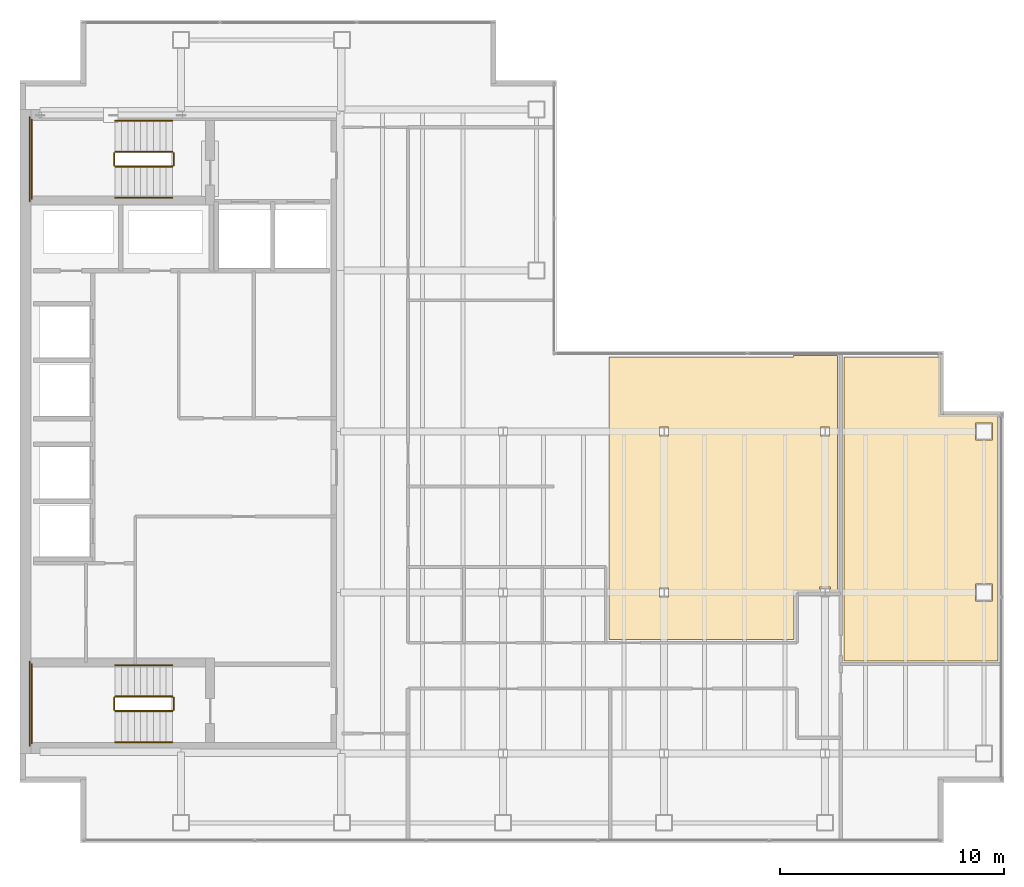
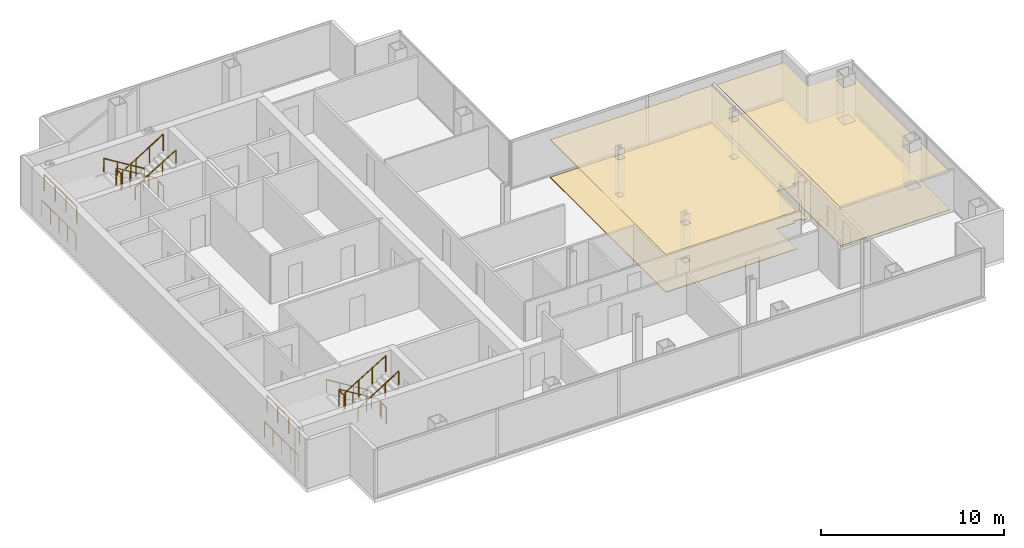
# One storey, part 23 of 23: 16 railings, 4 coverings.
"""IFC4 building model written with IfcOpenShell, lengths in metres."""

from ifc_helpers import new_model, si_unit, direction, frame, origin, origin_2d, place, context, subcontext, project, spatial, polyline, circle, outline, extrude, material, layer, layer_set, type_object, element, save


model = new_model("IFC4")

# Units and contexts
model_context = context("Model", 3, precision=1e-05, world=origin(), true_north=direction((0.0, 1.0)))
body_context = subcontext(model_context, "Body", "Model", "MODEL_VIEW")
ifc_project = project(units=[si_unit("LENGTHUNIT", "METRE"), si_unit("AREAUNIT", "SQUARE_METRE"), si_unit("VOLUMEUNIT", "CUBIC_METRE"), si_unit("PLANEANGLEUNIT", "RADIAN"), si_unit("MASSUNIT", "GRAM", prefix="KILO")], contexts=[model_context])

# Site, building, storey
site_placement = place(None, origin())
site = spatial("IfcSite", under=ifc_project, at=site_placement, CompositionType="ELEMENT")
building_placement = place(site_placement, origin())
building = spatial("IfcBuilding", under=site, at=building_placement, Name="Cobrela Telecom Tower", CompositionType="ELEMENT")
storey_placement = place(building_placement, frame((0.0, 0.0, 225.75)))
storey = spatial("IfcBuildingStorey", under=building, at=storey_placement, Name="L58", CompositionType="ELEMENT", Elevation=225.75)

# Coverings
ifc_material_1 = material(Name="Mineral Fibre Acoustic Ceiling Tile")
ifc_layer_1 = layer(ifc_material_1, 0.02490234375)
ifc_layer_set_1 = layer_set([ifc_layer_1], Name="Mineral Fibre Acoustic Ceiling Tile")
covering_type_1 = type_object("IfcCoveringType", Name="COV-CEIL-ACT", PredefinedType="CEILING", material=ifc_layer_set_1)
covering_1_placement = place(storey_placement, frame((0.0, 0.0, 2.52001953125)))
element("IfcCovering", 1, at=covering_1_placement, inside=storey, type_object=covering_type_1, Name="L58 Security Control Room 4 Suspended Acoustic Ceiling", PredefinedType="CEILING", context=body_context, shape_type="SweptSolid", body=[
    extrude(outline(polyline([(36.56005859375, 14.489990234375), (36.24951171875, 14.489990234375), (36.24951171875, 14.64697265625), (35.75048828125, 14.64697265625), (35.75048828125, 14.489990234375), (34.610107421875, 14.489990234375), (34.610107421875, 12.2900390625), (26.340087890625, 12.2900390625), (26.340087890625, 24.93994140625), (34.590087890625, 24.93994140625), (34.590087890625, 25.0), (36.56005859375, 25.0), (36.56005859375, 14.489990234375)]), holes=[polyline([(28.99951171875, 14.596923828125), (28.6005859375, 14.596923828125), (28.6005859375, 14.202880859375), (28.99951171875, 14.202880859375), (28.99951171875, 14.596923828125)]), polyline([(28.99951171875, 21.797119140625), (28.6005859375, 21.797119140625), (28.6005859375, 21.403076171875), (28.99951171875, 21.403076171875), (28.99951171875, 21.797119140625)]), polyline([(36.199462890625, 21.403076171875), (36.199462890625, 21.797119140625), (35.800537109375, 21.797119140625), (35.800537109375, 21.403076171875), (36.199462890625, 21.403076171875)])]), origin(), (0.0, 0.0, 1.0), 0.02490234375),
])
covering_2_placement = place(storey_placement, frame((0.0, 0.0, 2.52001953125)))
element("IfcCovering", 2, at=covering_2_placement, inside=storey, type_object=covering_type_1, Name="L58 Systems Engineering Studio 9 Suspended Acoustic Ceiling", PredefinedType="CEILING", context=body_context, shape_type="SweptSolid", body=[
    extrude(outline(polyline([(41.14990234375, 24.93994140625), (41.14990234375, 22.489013671875), (41.150634765625, 22.476318359375), (41.152587890625, 22.462646484375), (41.156005859375, 22.449462890625), (41.16064453125, 22.436279296875), (41.16650390625, 22.424072265625), (41.173583984375, 22.412109375), (41.181640625, 22.401123046875), (41.19091796875, 22.39111328125), (41.201171875, 22.381591796875), (41.212158203125, 22.37353515625), (41.22412109375, 22.366455078125), (41.236328125, 22.360595703125), (41.24951171875, 22.35595703125), (41.2626953125, 22.3525390625), (41.2763671875, 22.3505859375), (41.2890625, 22.35009765625), (43.739990234375, 22.35009765625), (43.739990234375, 11.340087890625), (36.840087890625, 11.340087890625), (36.840087890625, 24.93994140625), (41.14990234375, 24.93994140625)]), holes=[polyline([(43.47509765625, 14.02490234375), (43.47509765625, 14.77490234375), (42.72509765625, 14.77490234375), (42.72509765625, 14.02490234375), (43.47509765625, 14.02490234375)]), polyline([(43.47509765625, 21.22509765625), (43.47509765625, 21.97509765625), (42.72509765625, 21.97509765625), (42.72509765625, 21.22509765625), (43.47509765625, 21.22509765625)])]), origin(), (0.0, 0.0, 1.0), 0.02490234375),
])
ifc_material_2 = material(Name="Honed Colombian Basalt Stone", Category="masonry")
ifc_layer_2 = layer(ifc_material_2, 0.0400390625)
ifc_layer_set_2 = layer_set([ifc_layer_2], Name="Honed Colombian Basalt Stone")
covering_type_2 = type_object("IfcCoveringType", Name="COV-FLR-STONE", PredefinedType="FLOORING", material=ifc_layer_set_2)
covering_3_placement = place(storey_placement, origin())
element("IfcCovering", 3, at=covering_3_placement, inside=storey, type_object=covering_type_2, Name="L58 Security Control Room 4 Raised Technical Flooring", PredefinedType="FLOORING", context=body_context, shape_type="SweptSolid", body=[
    extrude(outline(polyline([(36.56005859375, 14.489990234375), (36.24951171875, 14.489990234375), (36.24951171875, 14.64697265625), (35.75048828125, 14.64697265625), (35.75048828125, 14.489990234375), (34.610107421875, 14.489990234375), (34.610107421875, 12.2900390625), (26.340087890625, 12.2900390625), (26.340087890625, 24.93994140625), (34.590087890625, 24.93994140625), (34.590087890625, 25.0), (36.56005859375, 25.0), (36.56005859375, 14.489990234375)]), holes=[polyline([(28.99951171875, 14.596923828125), (28.6005859375, 14.596923828125), (28.6005859375, 14.202880859375), (28.99951171875, 14.202880859375), (28.99951171875, 14.596923828125)]), polyline([(28.99951171875, 21.797119140625), (28.6005859375, 21.797119140625), (28.6005859375, 21.403076171875), (28.99951171875, 21.403076171875), (28.99951171875, 21.797119140625)]), polyline([(36.199462890625, 21.403076171875), (36.199462890625, 21.797119140625), (35.800537109375, 21.797119140625), (35.800537109375, 21.403076171875), (36.199462890625, 21.403076171875)])]), origin(), (0.0, 0.0, 1.0), 0.0400390625),
])
covering_4_placement = place(storey_placement, origin())
element("IfcCovering", 4, at=covering_4_placement, inside=storey, type_object=covering_type_2, Name="L58 Systems Engineering Studio 9 Raised Technical Flooring", PredefinedType="FLOORING", context=body_context, shape_type="SweptSolid", body=[
    extrude(outline(polyline([(41.14990234375, 24.93994140625), (41.14990234375, 22.489013671875), (41.150634765625, 22.476318359375), (41.152587890625, 22.462646484375), (41.156005859375, 22.449462890625), (41.16064453125, 22.436279296875), (41.16650390625, 22.424072265625), (41.173583984375, 22.412109375), (41.181640625, 22.401123046875), (41.19091796875, 22.39111328125), (41.201171875, 22.381591796875), (41.212158203125, 22.37353515625), (41.22412109375, 22.366455078125), (41.236328125, 22.360595703125), (41.24951171875, 22.35595703125), (41.2626953125, 22.3525390625), (41.2763671875, 22.3505859375), (41.2890625, 22.35009765625), (43.739990234375, 22.35009765625), (43.739990234375, 11.340087890625), (36.840087890625, 11.340087890625), (36.840087890625, 24.93994140625), (41.14990234375, 24.93994140625)]), holes=[polyline([(43.47509765625, 14.02490234375), (43.47509765625, 14.77490234375), (42.72509765625, 14.77490234375), (42.72509765625, 14.02490234375), (43.47509765625, 14.02490234375)]), polyline([(43.47509765625, 21.22509765625), (43.47509765625, 21.97509765625), (42.72509765625, 21.97509765625), (42.72509765625, 21.22509765625), (43.47509765625, 21.22509765625)])]), origin(), (0.0, 0.0, 1.0), 0.0400390625),
])

# Railings
ifc_material_3 = material(Name="Steel ASTM A36", Category="steel")
railing_type_1 = type_object("IfcRailingType", Name="RAIL-GUARD-1100", PredefinedType="GUARDRAIL", material=ifc_material_3)
railing_1_placement = place(storey_placement, frame((6.820068359375, 34.10009765625, 0.175048828125)))
element("IfcRailing", 5, at=railing_1_placement, inside=storey, type_object=railing_type_1, Name="L58 ST1 stair guard 1", PredefinedType="GUARDRAIL", context=body_context, shape_type="SweptSolid", body=[
    extrude(circle(Radius=0.02392578125, at=origin_2d()), frame((0.0, 0.0, 1.076171875), z_axis=(-0.852195335862, 0.0, 0.523223766217), x_axis=(0.0, -1.0, 0.0)), (0.0, 0.0, 1.0), 3.010009765625),
    extrude(circle(Radius=0.02099609375, at=origin_2d()), origin(), (0.0, 0.0, 1.0), 1.052001953125),
    extrude(circle(Radius=0.02099609375, at=origin_2d()), frame((-0.85498046875, 0.0, 0.52490234375)), (0.0, 0.0, 1.0), 1.052001953125),
    extrude(circle(Radius=0.02099609375, at=origin_2d()), frame((-1.710205078125, 0.0, 1.050048828125)), (0.0, 0.0, 1.0), 1.052001953125),
    extrude(circle(Radius=0.02099609375, at=origin_2d()), frame((-2.565185546875, 0.0, 1.574951171875)), (0.0, 0.0, 1.0), 1.052001953125),
])
railing_2_placement = place(storey_placement, frame((4.205078125, 34.050048828125, 1.75)))
element("IfcRailing", 6, at=railing_2_placement, inside=storey, type_object=railing_type_1, Name="L58 ST1 stair guard 2", PredefinedType="GUARDRAIL", context=body_context, shape_type="SweptSolid", body=[
    extrude(circle(Radius=0.02392578125, at=origin_2d()), frame((0.0, 0.0, 1.076171875), z_axis=(0.0, -1.0, 0.0), x_axis=(1.0, 0.0, 0.0)), (0.0, 0.0, 1.0), 0.550048828125),
    extrude(circle(Radius=0.02099609375, at=origin_2d()), origin(), (0.0, 0.0, 1.0), 1.052001953125),
    extrude(circle(Radius=0.02099609375, at=origin_2d()), frame((0.0, -0.550048828125, 0.0)), (0.0, 0.0, 1.0), 1.052001953125),
])
railing_3_placement = place(storey_placement, frame((0.530029296875, 35.550048828125, 1.75)))
element("IfcRailing", 7, at=railing_3_placement, inside=storey, type_object=railing_type_1, Name="L58 ST1 stair guard 3", PredefinedType="GUARDRAIL", context=body_context, shape_type="SweptSolid", body=[
    extrude(circle(Radius=0.02392578125, at=origin_2d()), frame((0.0, 0.0, 1.076171875), z_axis=(0.0, -1.0, 0.0), x_axis=(1.0, 0.0, 0.0)), (0.0, 0.0, 1.0), 3.550048828125),
    extrude(circle(Radius=0.02099609375, at=origin_2d()), origin(), (0.0, 0.0, 1.0), 1.052001953125),
    extrude(circle(Radius=0.02099609375, at=origin_2d()), frame((0.0, -1.183349609375, 0.0)), (0.0, 0.0, 1.0), 1.052001953125),
    extrude(circle(Radius=0.02099609375, at=origin_2d()), frame((0.0, -2.36669921875, 0.0)), (0.0, 0.0, 1.0), 1.052001953125),
    extrude(circle(Radius=0.02099609375, at=origin_2d()), frame((0.0, -3.550048828125, 0.0)), (0.0, 0.0, 1.0), 1.052001953125),
])
railing_4_placement = place(storey_placement, frame((4.2548828125, 33.449951171875, 1.925048828125)))
element("IfcRailing", 8, at=railing_4_placement, inside=storey, type_object=railing_type_1, Name="L58 ST1 stair guard 4", PredefinedType="GUARDRAIL", context=body_context, shape_type="SweptSolid", body=[
    extrude(circle(Radius=0.02392578125, at=origin_2d()), frame((0.0, 0.0, 1.076171875), z_axis=(0.852195335862, 0.0, 0.523223766217), x_axis=(0.0, 1.0, 0.0)), (0.0, 0.0, 1.0), 3.010009765625),
    extrude(circle(Radius=0.02099609375, at=origin_2d()), origin(), (0.0, 0.0, 1.0), 1.052001953125),
    extrude(circle(Radius=0.02099609375, at=origin_2d()), frame((0.85498046875, 0.0, 0.52490234375)), (0.0, 0.0, 1.0), 1.052001953125),
    extrude(circle(Radius=0.02099609375, at=origin_2d()), frame((1.710205078125, 0.0, 1.050048828125)), (0.0, 0.0, 1.0), 1.052001953125),
    extrude(circle(Radius=0.02099609375, at=origin_2d()), frame((2.565185546875, 0.0, 1.574951171875)), (0.0, 0.0, 1.0), 1.052001953125),
])
railing_5_placement = place(storey_placement, frame((6.8701171875, 34.050048828125, 0.0)))
element("IfcRailing", 9, at=railing_5_placement, inside=storey, type_object=railing_type_1, Name="L58 ST1 stair guard 5", PredefinedType="GUARDRAIL", context=body_context, shape_type="SweptSolid", body=[
    extrude(circle(Radius=0.02392578125, at=origin_2d()), frame((0.0, 0.0, 1.076171875), z_axis=(0.0, -1.0, 0.0), x_axis=(1.0, 0.0, 0.0)), (0.0, 0.0, 1.0), 0.550048828125),
    extrude(circle(Radius=0.02099609375, at=origin_2d()), origin(), (0.0, 0.0, 1.0), 1.052001953125),
    extrude(circle(Radius=0.02099609375, at=origin_2d()), frame((0.0, -0.550048828125, 0.0)), (0.0, 0.0, 1.0), 1.052001953125),
])
railing_6_placement = place(storey_placement, frame((0.429931640625, 35.64990234375, 0.0)))
element("IfcRailing", 10, at=railing_6_placement, inside=storey, type_object=railing_type_1, Name="L58 ST1 stair guard 6", PredefinedType="GUARDRAIL", context=body_context, shape_type="SweptSolid", body=[
    extrude(circle(Radius=0.02392578125, at=origin_2d()), frame((0.0, 0.0, 1.076171875), z_axis=(0.0, -1.0, 0.0), x_axis=(1.0, 0.0, 0.0)), (0.0, 0.0, 1.0), 3.75),
    extrude(circle(Radius=0.02099609375, at=origin_2d()), origin(), (0.0, 0.0, 1.0), 1.052001953125),
    extrude(circle(Radius=0.02099609375, at=origin_2d()), frame((0.0, -0.9375, 0.0)), (0.0, 0.0, 1.0), 1.052001953125),
    extrude(circle(Radius=0.02099609375, at=origin_2d()), frame((0.0, -1.875, 0.0)), (0.0, 0.0, 1.0), 1.052001953125),
    extrude(circle(Radius=0.02099609375, at=origin_2d()), frame((0.0, -2.8125, 0.0)), (0.0, 0.0, 1.0), 1.052001953125),
    extrude(circle(Radius=0.02099609375, at=origin_2d()), frame((0.0, -3.75, 0.0)), (0.0, 0.0, 1.0), 1.052001953125),
])
railing_7_placement = place(storey_placement, frame((6.820068359375, 9.75, 0.175048828125)))
element("IfcRailing", 11, at=railing_7_placement, inside=storey, type_object=railing_type_1, Name="L58 ST2 stair guard 1", PredefinedType="GUARDRAIL", context=body_context, shape_type="SweptSolid", body=[
    extrude(circle(Radius=0.02392578125, at=origin_2d()), frame((0.0, 0.0, 1.076171875), z_axis=(-0.852195335862, 0.0, 0.523223766217), x_axis=(0.0, -1.0, 0.0)), (0.0, 0.0, 1.0), 3.010009765625),
    extrude(circle(Radius=0.02099609375, at=origin_2d()), origin(), (0.0, 0.0, 1.0), 1.052001953125),
    extrude(circle(Radius=0.02099609375, at=origin_2d()), frame((-0.85498046875, 0.0, 0.52490234375)), (0.0, 0.0, 1.0), 1.052001953125),
    extrude(circle(Radius=0.02099609375, at=origin_2d()), frame((-1.710205078125, 0.0, 1.050048828125)), (0.0, 0.0, 1.0), 1.052001953125),
    extrude(circle(Radius=0.02099609375, at=origin_2d()), frame((-2.565185546875, 0.0, 1.574951171875)), (0.0, 0.0, 1.0), 1.052001953125),
])
railing_8_placement = place(storey_placement, frame((4.205078125, 9.699951171875, 1.75)))
element("IfcRailing", 12, at=railing_8_placement, inside=storey, type_object=railing_type_1, Name="L58 ST2 stair guard 2", PredefinedType="GUARDRAIL", context=body_context, shape_type="SweptSolid", body=[
    extrude(circle(Radius=0.02392578125, at=origin_2d()), frame((0.0, 0.0, 1.076171875), z_axis=(0.0, -1.0, 0.0), x_axis=(1.0, 0.0, 0.0)), (0.0, 0.0, 1.0), 0.550048828125),
    extrude(circle(Radius=0.02099609375, at=origin_2d()), origin(), (0.0, 0.0, 1.0), 1.052001953125),
    extrude(circle(Radius=0.02099609375, at=origin_2d()), frame((0.0, -0.550048828125, 0.0)), (0.0, 0.0, 1.0), 1.052001953125),
])
railing_9_placement = place(storey_placement, frame((0.530029296875, 11.199951171875, 1.75)))
element("IfcRailing", 13, at=railing_9_placement, inside=storey, type_object=railing_type_1, Name="L58 ST2 stair guard 3", PredefinedType="GUARDRAIL", context=body_context, shape_type="SweptSolid", body=[
    extrude(circle(Radius=0.02392578125, at=origin_2d()), frame((0.0, 0.0, 1.076171875), z_axis=(0.0, -1.0, 0.0), x_axis=(1.0, 0.0, 0.0)), (0.0, 0.0, 1.0), 3.550048828125),
    extrude(circle(Radius=0.02099609375, at=origin_2d()), origin(), (0.0, 0.0, 1.0), 1.052001953125),
    extrude(circle(Radius=0.02099609375, at=origin_2d()), frame((0.0, -1.183349609375, 0.0)), (0.0, 0.0, 1.0), 1.052001953125),
    extrude(circle(Radius=0.02099609375, at=origin_2d()), frame((0.0, -2.36669921875, 0.0)), (0.0, 0.0, 1.0), 1.052001953125),
    extrude(circle(Radius=0.02099609375, at=origin_2d()), frame((0.0, -3.550048828125, 0.0)), (0.0, 0.0, 1.0), 1.052001953125),
])
railing_10_placement = place(storey_placement, frame((4.2548828125, 9.10009765625, 1.925048828125)))
element("IfcRailing", 14, at=railing_10_placement, inside=storey, type_object=railing_type_1, Name="L58 ST2 stair guard 4", PredefinedType="GUARDRAIL", context=body_context, shape_type="SweptSolid", body=[
    extrude(circle(Radius=0.02392578125, at=origin_2d()), frame((0.0, 0.0, 1.076171875), z_axis=(0.852195335862, 0.0, 0.523223766217), x_axis=(0.0, 1.0, 0.0)), (0.0, 0.0, 1.0), 3.010009765625),
    extrude(circle(Radius=0.02099609375, at=origin_2d()), origin(), (0.0, 0.0, 1.0), 1.052001953125),
    extrude(circle(Radius=0.02099609375, at=origin_2d()), frame((0.85498046875, 0.0, 0.52490234375)), (0.0, 0.0, 1.0), 1.052001953125),
    extrude(circle(Radius=0.02099609375, at=origin_2d()), frame((1.710205078125, 0.0, 1.050048828125)), (0.0, 0.0, 1.0), 1.052001953125),
    extrude(circle(Radius=0.02099609375, at=origin_2d()), frame((2.565185546875, 0.0, 1.574951171875)), (0.0, 0.0, 1.0), 1.052001953125),
])
railing_11_placement = place(storey_placement, frame((6.8701171875, 9.699951171875, 0.0)))
element("IfcRailing", 15, at=railing_11_placement, inside=storey, type_object=railing_type_1, Name="L58 ST2 stair guard 5", PredefinedType="GUARDRAIL", context=body_context, shape_type="SweptSolid", body=[
    extrude(circle(Radius=0.02392578125, at=origin_2d()), frame((0.0, 0.0, 1.076171875), z_axis=(0.0, -1.0, 0.0), x_axis=(1.0, 0.0, 0.0)), (0.0, 0.0, 1.0), 0.550048828125),
    extrude(circle(Radius=0.02099609375, at=origin_2d()), origin(), (0.0, 0.0, 1.0), 1.052001953125),
    extrude(circle(Radius=0.02099609375, at=origin_2d()), frame((0.0, -0.550048828125, 0.0)), (0.0, 0.0, 1.0), 1.052001953125),
])
railing_12_placement = place(storey_placement, frame((0.429931640625, 11.300048828125, 0.0)))
element("IfcRailing", 16, at=railing_12_placement, inside=storey, type_object=railing_type_1, Name="L58 ST2 stair guard 6", PredefinedType="GUARDRAIL", context=body_context, shape_type="SweptSolid", body=[
    extrude(circle(Radius=0.02392578125, at=origin_2d()), frame((0.0, 0.0, 1.076171875), z_axis=(0.0, -1.0, 0.0), x_axis=(1.0, 0.0, 0.0)), (0.0, 0.0, 1.0), 3.75),
    extrude(circle(Radius=0.02099609375, at=origin_2d()), origin(), (0.0, 0.0, 1.0), 1.052001953125),
    extrude(circle(Radius=0.02099609375, at=origin_2d()), frame((0.0, -0.9375, 0.0)), (0.0, 0.0, 1.0), 1.052001953125),
    extrude(circle(Radius=0.02099609375, at=origin_2d()), frame((0.0, -1.875, 0.0)), (0.0, 0.0, 1.0), 1.052001953125),
    extrude(circle(Radius=0.02099609375, at=origin_2d()), frame((0.0, -2.8125, 0.0)), (0.0, 0.0, 1.0), 1.052001953125),
    extrude(circle(Radius=0.02099609375, at=origin_2d()), frame((0.0, -3.75, 0.0)), (0.0, 0.0, 1.0), 1.052001953125),
])
railing_type_2 = type_object("IfcRailingType", Name="RAIL-HAND-920", PredefinedType="HANDRAIL", material=ifc_material_3)
railing_13_placement = place(storey_placement, frame((6.820068359375, 35.5, 0.175048828125)))
element("IfcRailing", 17, at=railing_13_placement, inside=storey, type_object=railing_type_2, Name="L58 ST1 stair handrail 1", PredefinedType="HANDRAIL", context=body_context, shape_type="SweptSolid", body=[
    extrude(circle(Radius=0.02392578125, at=origin_2d()), frame((0.0, 0.0, 0.8759765625), z_axis=(-0.852195335862, 0.0, 0.523223766217), x_axis=(0.0, -1.0, 0.0)), (0.0, 0.0, 1.0), 3.010009765625),
    extrude(circle(Radius=0.02099609375, at=origin_2d()), origin(), (0.0, 0.0, 1.0), 0.851806640625),
    extrude(circle(Radius=0.02099609375, at=origin_2d()), frame((-0.85498046875, 0.0, 0.52490234375)), (0.0, 0.0, 1.0), 0.851806640625),
    extrude(circle(Radius=0.02099609375, at=origin_2d()), frame((-1.710205078125, 0.0, 1.050048828125)), (0.0, 0.0, 1.0), 0.851806640625),
    extrude(circle(Radius=0.02099609375, at=origin_2d()), frame((-2.565185546875, 0.0, 1.574951171875)), (0.0, 0.0, 1.0), 0.851806640625),
])
railing_14_placement = place(storey_placement, frame((4.2548828125, 32.050048828125, 1.925048828125)))
element("IfcRailing", 18, at=railing_14_placement, inside=storey, type_object=railing_type_2, Name="L58 ST1 stair handrail 2", PredefinedType="HANDRAIL", context=body_context, shape_type="SweptSolid", body=[
    extrude(circle(Radius=0.02392578125, at=origin_2d()), frame((0.0, 0.0, 0.8759765625), z_axis=(0.852195335862, 0.0, 0.523223766217), x_axis=(0.0, 1.0, 0.0)), (0.0, 0.0, 1.0), 3.010009765625),
    extrude(circle(Radius=0.02099609375, at=origin_2d()), origin(), (0.0, 0.0, 1.0), 0.851806640625),
    extrude(circle(Radius=0.02099609375, at=origin_2d()), frame((0.85498046875, 0.0, 0.52490234375)), (0.0, 0.0, 1.0), 0.851806640625),
    extrude(circle(Radius=0.02099609375, at=origin_2d()), frame((1.710205078125, 0.0, 1.050048828125)), (0.0, 0.0, 1.0), 0.851806640625),
    extrude(circle(Radius=0.02099609375, at=origin_2d()), frame((2.565185546875, 0.0, 1.574951171875)), (0.0, 0.0, 1.0), 0.851806640625),
])
railing_15_placement = place(storey_placement, frame((6.820068359375, 11.14990234375, 0.175048828125)))
element("IfcRailing", 19, at=railing_15_placement, inside=storey, type_object=railing_type_2, Name="L58 ST2 stair handrail 1", PredefinedType="HANDRAIL", context=body_context, shape_type="SweptSolid", body=[
    extrude(circle(Radius=0.02392578125, at=origin_2d()), frame((0.0, 0.0, 0.8759765625), z_axis=(-0.852195335862, 0.0, 0.523223766217), x_axis=(0.0, -1.0, 0.0)), (0.0, 0.0, 1.0), 3.010009765625),
    extrude(circle(Radius=0.02099609375, at=origin_2d()), origin(), (0.0, 0.0, 1.0), 0.851806640625),
    extrude(circle(Radius=0.02099609375, at=origin_2d()), frame((-0.85498046875, 0.0, 0.52490234375)), (0.0, 0.0, 1.0), 0.851806640625),
    extrude(circle(Radius=0.02099609375, at=origin_2d()), frame((-1.710205078125, 0.0, 1.050048828125)), (0.0, 0.0, 1.0), 0.851806640625),
    extrude(circle(Radius=0.02099609375, at=origin_2d()), frame((-2.565185546875, 0.0, 1.574951171875)), (0.0, 0.0, 1.0), 0.851806640625),
])
railing_16_placement = place(storey_placement, frame((4.2548828125, 7.699951171875, 1.925048828125)))
element("IfcRailing", 20, at=railing_16_placement, inside=storey, type_object=railing_type_2, Name="L58 ST2 stair handrail 2", PredefinedType="HANDRAIL", context=body_context, shape_type="SweptSolid", body=[
    extrude(circle(Radius=0.02392578125, at=origin_2d()), frame((0.0, 0.0, 0.8759765625), z_axis=(0.852195335862, 0.0, 0.523223766217), x_axis=(0.0, 1.0, 0.0)), (0.0, 0.0, 1.0), 3.010009765625),
    extrude(circle(Radius=0.02099609375, at=origin_2d()), origin(), (0.0, 0.0, 1.0), 0.851806640625),
    extrude(circle(Radius=0.02099609375, at=origin_2d()), frame((0.85498046875, 0.0, 0.52490234375)), (0.0, 0.0, 1.0), 0.851806640625),
    extrude(circle(Radius=0.02099609375, at=origin_2d()), frame((1.710205078125, 0.0, 1.050048828125)), (0.0, 0.0, 1.0), 0.851806640625),
    extrude(circle(Radius=0.02099609375, at=origin_2d()), frame((2.565185546875, 0.0, 1.574951171875)), (0.0, 0.0, 1.0), 0.851806640625),
])

save(model, "model.ifc")
